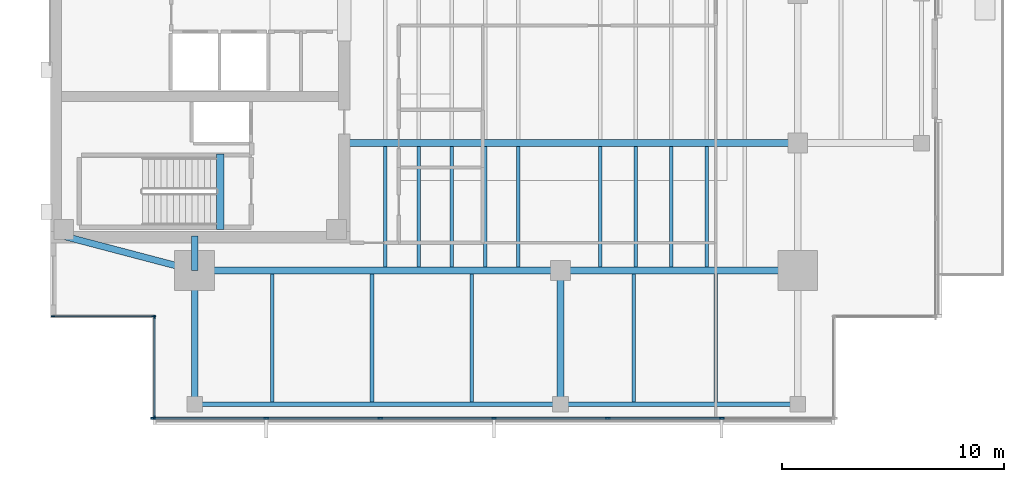
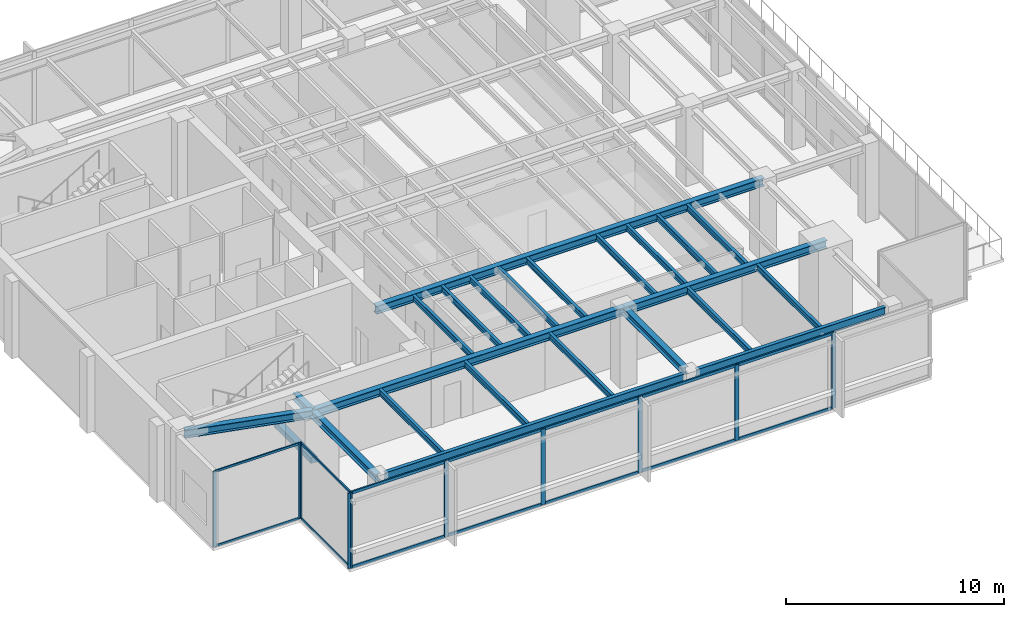
# One storey, part 2 of 14: 24 beams, 24 members, 3 elements without a shape of their own.
"""IFC4 building model written with IfcOpenShell, lengths in metres."""

from ifc_helpers import new_model, si_unit, direction, frame, origin, origin_2d, place, context, subcontext, project, spatial, rectangle, i_section, extrude, material, layer, layer_set, material_profile, profile_set, type_object, element, aggregate, save


model = new_model("IFC4")

# Units and contexts
model_context = context("Model", 3, precision=1e-05, world=origin(), true_north=direction((0.0, 1.0)))
body_context = subcontext(model_context, "Body", "Model", "MODEL_VIEW")
ifc_project = project(units=[si_unit("LENGTHUNIT", "METRE"), si_unit("AREAUNIT", "SQUARE_METRE"), si_unit("VOLUMEUNIT", "CUBIC_METRE"), si_unit("PLANEANGLEUNIT", "RADIAN"), si_unit("MASSUNIT", "GRAM", prefix="KILO")], contexts=[model_context])

# Site, building, storey
site_placement = place(None, origin())
site = spatial("IfcSite", under=ifc_project, at=site_placement, CompositionType="ELEMENT")
building_placement = place(site_placement, origin())
building = spatial("IfcBuilding", under=site, at=building_placement, Name="Kinhvarn Gate Tower", CompositionType="ELEMENT")
storey_placement = place(building_placement, frame((0.0, 0.0, 244.85009765625)))
storey = spatial("IfcBuildingStorey", under=building, at=storey_placement, Name="L65", CompositionType="ELEMENT", Elevation=244.85009765625)

# Beam
ifc_material_1 = material(Name="Concrete C50/60", Category="concrete")
ifc_material_profile_1 = material_profile(ifc_material_1, rectangle(XDim=0.340087890625, YDim=0.320068359375, at=origin_2d()), Name="RC 340x320")
ifc_profile_set_1 = profile_set([ifc_material_profile_1], Name="Concrete C50/60")
beam_type_1 = type_object("IfcBeamType", Name="BM-LND-500", PredefinedType="BEAM", material=ifc_profile_set_1)
beam_1_placement = place(storey_placement, frame((12.1650390625, 14.60009765625, -0.16015625), z_axis=(0.0, 1.0, 0.0), x_axis=(-1.0, 0.0, 0.0)))
element("IfcBeam", 1, at=beam_1_placement, inside=storey, type_object=beam_type_1, Name="Stair ST1 Landing Nosing Beam (L65)", PredefinedType="BEAM", context=body_context, shape_type="SweptSolid", body=[
    extrude(rectangle(XDim=0.340087890625, YDim=0.320068359375, at=origin_2d()), origin(), (0.0, 0.0, 1.0), 3.39990234375),
])

# Curtain wall, members
ifc_material_2 = material(Name="Anodised aluminium AW-6063", Category="aluminium")
ifc_layer_1 = layer(ifc_material_2, 0.179931640625)
ifc_layer_set_1 = layer_set([ifc_layer_1], Name="Anodised aluminium AW-6063")
curtain_wall_type_1 = type_object("IfcCurtainWallType", Name="CW-SYS-4", PredefinedType="NOTDEFINED", material=ifc_layer_set_1)
curtain_wall_1_placement = place(storey_placement, origin())
curtain_wall_1 = element("IfcCurtainWall", 2, at=curtain_wall_1_placement, inside=storey, type_object=curtain_wall_type_1, Name="Curtain Wall CW4 (L65)", PredefinedType="NOTDEFINED")
ifc_material_profile_2 = material_profile(ifc_material_2, rectangle(XDim=0.06494140625, YDim=0.159912109375, at=origin_2d()), Name="ALU 65x160")
ifc_profile_set_2 = profile_set([ifc_material_profile_2], Name="Anodised aluminium AW-6063")
member_type_1 = type_object("IfcMemberType", Name="CW-MUL-160", PredefinedType="MULLION", material=ifc_profile_set_2)
member_1_placement = place(storey_placement, frame((4.62255859375, 10.68994140625, 0.0), z_axis=(0.0, 0.0, 1.0), x_axis=(0.0, 1.0, 0.0)))
member_1 = element("IfcMember", 3, at=member_1_placement, type_object=member_type_1, Name="CW4 mullion 1", PredefinedType="MULLION", context=body_context, shape_type="SweptSolid", body=[
    extrude(rectangle(XDim=0.06494140625, YDim=0.159912109375, at=origin_2d()), origin(), (0.0, 0.0, 1.0), 4.239990234375),
])
member_2_placement = place(storey_placement, frame((9.157470703125, 10.68994140625, 0.0), z_axis=(0.0, 0.0, 1.0), x_axis=(0.0, 1.0, 0.0)))
member_2 = element("IfcMember", 4, at=member_2_placement, type_object=member_type_1, Name="CW4 mullion 2", PredefinedType="MULLION", context=body_context, shape_type="SweptSolid", body=[
    extrude(rectangle(XDim=0.06494140625, YDim=0.159912109375, at=origin_2d()), origin(), (0.0, 0.0, 1.0), 4.239990234375),
])

curtain_wall_2_placement = place(storey_placement, origin())
curtain_wall_2 = element("IfcCurtainWall", 5, at=curtain_wall_2_placement, inside=storey, type_object=curtain_wall_type_1, Name="Curtain Wall CW4 (L65)", PredefinedType="NOTDEFINED")
member_3_placement = place(storey_placement, frame((9.18994140625, 10.657470703125, 0.0), z_axis=(0.0, 0.0, 1.0), x_axis=(1.0, 0.0, 0.0)))
member_3 = element("IfcMember", 6, at=member_3_placement, type_object=member_type_1, Name="CW4 mullion 1", PredefinedType="MULLION", context=body_context, shape_type="SweptSolid", body=[
    extrude(rectangle(XDim=0.06494140625, YDim=0.159912109375, at=origin_2d()), origin(), (0.0, 0.0, 1.0), 4.239990234375),
])
member_4_placement = place(storey_placement, frame((9.18994140625, 6.12255859375, 0.0), z_axis=(0.0, 0.0, 1.0), x_axis=(1.0, 0.0, 0.0)))
member_4 = element("IfcMember", 7, at=member_4_placement, type_object=member_type_1, Name="CW4 mullion 2", PredefinedType="MULLION", context=body_context, shape_type="SweptSolid", body=[
    extrude(rectangle(XDim=0.06494140625, YDim=0.159912109375, at=origin_2d()), origin(), (0.0, 0.0, 1.0), 4.239990234375),
])

ifc_layer_2 = layer(ifc_material_2, 0.219970703125)
ifc_layer_set_2 = layer_set([ifc_layer_2], Name="Anodised aluminium AW-6063")
curtain_wall_type_2 = type_object("IfcCurtainWallType", Name="CW-SYS-5", PredefinedType="NOTDEFINED", material=ifc_layer_set_2)
curtain_wall_3_placement = place(storey_placement, origin())
curtain_wall_3 = element("IfcCurtainWall", 8, at=curtain_wall_3_placement, inside=storey, type_object=curtain_wall_type_2, Name="Curtain Wall CW5 (L65)", PredefinedType="NOTDEFINED")
ifc_material_profile_3 = material_profile(ifc_material_2, rectangle(XDim=0.080078125, YDim=0.219970703125, at=origin_2d()), Name="ALU 80x220")
ifc_profile_set_3 = profile_set([ifc_material_profile_3], Name="Anodised aluminium AW-6063")
member_type_2 = type_object("IfcMemberType", Name="CW-MUL-220", PredefinedType="MULLION", material=ifc_profile_set_3)
member_5_placement = place(storey_placement, frame((9.139892578125, 6.090087890625, 0.0), z_axis=(0.0, 0.0, 1.0), x_axis=(0.0, 1.0, 0.0)))
member_5 = element("IfcMember", 9, at=member_5_placement, type_object=member_type_2, Name="CW5 mullion 1", PredefinedType="MULLION", context=body_context, shape_type="SweptSolid", body=[
    extrude(rectangle(XDim=0.080078125, YDim=0.219970703125, at=origin_2d()), origin(), (0.0, 0.0, 1.0), 4.239990234375),
])
member_6_placement = place(storey_placement, frame((14.2333984375, 6.090087890625, 0.0), z_axis=(0.0, 0.0, 1.0), x_axis=(0.0, 1.0, 0.0)))
member_6 = element("IfcMember", 10, at=member_6_placement, type_object=member_type_2, Name="CW5 mullion 2", PredefinedType="MULLION", context=body_context, shape_type="SweptSolid", body=[
    extrude(rectangle(XDim=0.080078125, YDim=0.219970703125, at=origin_2d()), origin(), (0.0, 0.0, 1.0), 4.239990234375),
])
member_7_placement = place(storey_placement, frame((19.36669921875, 6.090087890625, 0.0), z_axis=(0.0, 0.0, 1.0), x_axis=(0.0, 1.0, 0.0)))
member_7 = element("IfcMember", 11, at=member_7_placement, type_object=member_type_2, Name="CW5 mullion 3", PredefinedType="MULLION", context=body_context, shape_type="SweptSolid", body=[
    extrude(rectangle(XDim=0.080078125, YDim=0.219970703125, at=origin_2d()), origin(), (0.0, 0.0, 1.0), 4.239990234375),
])
member_8_placement = place(storey_placement, frame((24.5, 6.090087890625, 0.0), z_axis=(0.0, 0.0, 1.0), x_axis=(0.0, 1.0, 0.0)))
member_8 = element("IfcMember", 12, at=member_8_placement, type_object=member_type_2, Name="CW5 mullion 4", PredefinedType="MULLION", context=body_context, shape_type="SweptSolid", body=[
    extrude(rectangle(XDim=0.080078125, YDim=0.219970703125, at=origin_2d()), origin(), (0.0, 0.0, 1.0), 4.239990234375),
])
member_9_placement = place(storey_placement, frame((29.63330078125, 6.090087890625, 0.0), z_axis=(0.0, 0.0, 1.0), x_axis=(0.0, 1.0, 0.0)))
member_9 = element("IfcMember", 13, at=member_9_placement, type_object=member_type_2, Name="CW5 mullion 5", PredefinedType="MULLION", context=body_context, shape_type="SweptSolid", body=[
    extrude(rectangle(XDim=0.080078125, YDim=0.219970703125, at=origin_2d()), origin(), (0.0, 0.0, 1.0), 4.239990234375),
])
member_10_placement = place(storey_placement, frame((34.7666015625, 6.090087890625, 0.0), z_axis=(0.0, 0.0, 1.0), x_axis=(0.0, 1.0, 0.0)))
member_10 = element("IfcMember", 14, at=member_10_placement, type_object=member_type_2, Name="CW5 mullion 6", PredefinedType="MULLION", context=body_context, shape_type="SweptSolid", body=[
    extrude(rectangle(XDim=0.080078125, YDim=0.219970703125, at=origin_2d()), origin(), (0.0, 0.0, 1.0), 4.239990234375),
])

# Member
ifc_material_profile_4 = material_profile(ifc_material_2, rectangle(XDim=0.06494140625, YDim=0.1201171875, at=origin_2d()), Name="ALU 65x120")
ifc_profile_set_4 = profile_set([ifc_material_profile_4], Name="Anodised aluminium AW-6063")
member_type_3 = type_object("IfcMemberType", Name="CW-TRN-120", PredefinedType="USERDEFINED", material=ifc_profile_set_4)
member_11_placement = place(storey_placement, frame((4.655029296875, 10.68994140625, 0.032470703125), z_axis=(1.0, 0.0, 0.0), x_axis=(0.0, 1.0, 0.0)))
member_11 = element("IfcMember", 15, at=member_11_placement, type_object=member_type_3, Name="CW4 transom 1.1", ObjectType="TRANSOM", PredefinedType="USERDEFINED", context=body_context, shape_type="SweptSolid", body=[
    extrude(rectangle(XDim=0.06494140625, YDim=0.1201171875, at=origin_2d()), origin(), (0.0, 0.0, 1.0), 4.469970703125),
])

member_12_placement = place(storey_placement, frame((4.655029296875, 10.68994140625, 4.20751953125), z_axis=(1.0, 0.0, 0.0), x_axis=(0.0, 1.0, 0.0)))
member_12 = element("IfcMember", 16, at=member_12_placement, type_object=member_type_3, Name="CW4 transom 1.2", ObjectType="TRANSOM", PredefinedType="USERDEFINED", context=body_context, shape_type="SweptSolid", body=[
    extrude(rectangle(XDim=0.06494140625, YDim=0.1201171875, at=origin_2d()), origin(), (0.0, 0.0, 1.0), 4.469970703125),
])

aggregate(curtain_wall_1, [member_1, member_2, member_11, member_12])

member_13_placement = place(storey_placement, frame((9.18994140625, 10.625, 0.032470703125), z_axis=(0.0, -1.0, 0.0), x_axis=(1.0, 0.0, 0.0)))
member_13 = element("IfcMember", 17, at=member_13_placement, type_object=member_type_3, Name="CW4 transom 1.1", ObjectType="TRANSOM", PredefinedType="USERDEFINED", context=body_context, shape_type="SweptSolid", body=[
    extrude(rectangle(XDim=0.06494140625, YDim=0.1201171875, at=origin_2d()), origin(), (0.0, 0.0, 1.0), 4.469970703125),
])

member_14_placement = place(storey_placement, frame((9.18994140625, 10.625, 4.20751953125), z_axis=(0.0, -1.0, 0.0), x_axis=(1.0, 0.0, 0.0)))
member_14 = element("IfcMember", 18, at=member_14_placement, type_object=member_type_3, Name="CW4 transom 1.2", ObjectType="TRANSOM", PredefinedType="USERDEFINED", context=body_context, shape_type="SweptSolid", body=[
    extrude(rectangle(XDim=0.06494140625, YDim=0.1201171875, at=origin_2d()), origin(), (0.0, 0.0, 1.0), 4.469970703125),
])

aggregate(curtain_wall_2, [member_3, member_4, member_13, member_14])

ifc_material_profile_5 = material_profile(ifc_material_2, rectangle(XDim=0.080078125, YDim=0.159912109375, at=origin_2d()), Name="ALU 80x160")
ifc_profile_set_5 = profile_set([ifc_material_profile_5], Name="Anodised aluminium AW-6063")
member_type_4 = type_object("IfcMemberType", Name="CW-TRN-160", PredefinedType="USERDEFINED", material=ifc_profile_set_5)
member_15_placement = place(storey_placement, frame((9.179931640625, 6.090087890625, 0.039794921875), z_axis=(1.0, 0.0, 0.0), x_axis=(0.0, 1.0, 0.0)))
member_15 = element("IfcMember", 19, at=member_15_placement, type_object=member_type_4, Name="CW5 transom 1.1", ObjectType="TRANSOM", PredefinedType="USERDEFINED", context=body_context, shape_type="SweptSolid", body=[
    extrude(rectangle(XDim=0.080078125, YDim=0.159912109375, at=origin_2d()), origin(), (0.0, 0.0, 1.0), 5.013427734375),
])

member_16_placement = place(storey_placement, frame((9.179931640625, 6.090087890625, 4.199951171875), z_axis=(1.0, 0.0, 0.0), x_axis=(0.0, 1.0, 0.0)))
member_16 = element("IfcMember", 20, at=member_16_placement, type_object=member_type_4, Name="CW5 transom 1.2", ObjectType="TRANSOM", PredefinedType="USERDEFINED", context=body_context, shape_type="SweptSolid", body=[
    extrude(rectangle(XDim=0.080078125, YDim=0.159912109375, at=origin_2d()), origin(), (0.0, 0.0, 1.0), 5.013427734375),
])

member_17_placement = place(storey_placement, frame((14.2734375, 6.090087890625, 0.039794921875), z_axis=(1.0, 0.0, 0.0), x_axis=(0.0, 1.0, 0.0)))
member_17 = element("IfcMember", 21, at=member_17_placement, type_object=member_type_4, Name="CW5 transom 2.1", ObjectType="TRANSOM", PredefinedType="USERDEFINED", context=body_context, shape_type="SweptSolid", body=[
    extrude(rectangle(XDim=0.080078125, YDim=0.159912109375, at=origin_2d()), origin(), (0.0, 0.0, 1.0), 5.05322265625),
])

member_18_placement = place(storey_placement, frame((14.2734375, 6.090087890625, 4.199951171875), z_axis=(1.0, 0.0, 0.0), x_axis=(0.0, 1.0, 0.0)))
member_18 = element("IfcMember", 22, at=member_18_placement, type_object=member_type_4, Name="CW5 transom 2.2", ObjectType="TRANSOM", PredefinedType="USERDEFINED", context=body_context, shape_type="SweptSolid", body=[
    extrude(rectangle(XDim=0.080078125, YDim=0.159912109375, at=origin_2d()), origin(), (0.0, 0.0, 1.0), 5.05322265625),
])

member_19_placement = place(storey_placement, frame((19.40673828125, 6.090087890625, 0.039794921875), z_axis=(1.0, 0.0, 0.0), x_axis=(0.0, 1.0, 0.0)))
member_19 = element("IfcMember", 23, at=member_19_placement, type_object=member_type_4, Name="CW5 transom 3.1", ObjectType="TRANSOM", PredefinedType="USERDEFINED", context=body_context, shape_type="SweptSolid", body=[
    extrude(rectangle(XDim=0.080078125, YDim=0.159912109375, at=origin_2d()), origin(), (0.0, 0.0, 1.0), 5.05322265625),
])

member_20_placement = place(storey_placement, frame((19.40673828125, 6.090087890625, 4.199951171875), z_axis=(1.0, 0.0, 0.0), x_axis=(0.0, 1.0, 0.0)))
member_20 = element("IfcMember", 24, at=member_20_placement, type_object=member_type_4, Name="CW5 transom 3.2", ObjectType="TRANSOM", PredefinedType="USERDEFINED", context=body_context, shape_type="SweptSolid", body=[
    extrude(rectangle(XDim=0.080078125, YDim=0.159912109375, at=origin_2d()), origin(), (0.0, 0.0, 1.0), 5.05322265625),
])

member_21_placement = place(storey_placement, frame((24.5400390625, 6.090087890625, 0.039794921875), z_axis=(1.0, 0.0, 0.0), x_axis=(0.0, 1.0, 0.0)))
member_21 = element("IfcMember", 25, at=member_21_placement, type_object=member_type_4, Name="CW5 transom 4.1", ObjectType="TRANSOM", PredefinedType="USERDEFINED", context=body_context, shape_type="SweptSolid", body=[
    extrude(rectangle(XDim=0.080078125, YDim=0.159912109375, at=origin_2d()), origin(), (0.0, 0.0, 1.0), 5.05322265625),
])

member_22_placement = place(storey_placement, frame((24.5400390625, 6.090087890625, 4.199951171875), z_axis=(1.0, 0.0, 0.0), x_axis=(0.0, 1.0, 0.0)))
member_22 = element("IfcMember", 26, at=member_22_placement, type_object=member_type_4, Name="CW5 transom 4.2", ObjectType="TRANSOM", PredefinedType="USERDEFINED", context=body_context, shape_type="SweptSolid", body=[
    extrude(rectangle(XDim=0.080078125, YDim=0.159912109375, at=origin_2d()), origin(), (0.0, 0.0, 1.0), 5.05322265625),
])

member_23_placement = place(storey_placement, frame((29.67333984375, 6.090087890625, 0.039794921875), z_axis=(1.0, 0.0, 0.0), x_axis=(0.0, 1.0, 0.0)))
member_23 = element("IfcMember", 27, at=member_23_placement, type_object=member_type_4, Name="CW5 transom 5.1", ObjectType="TRANSOM", PredefinedType="USERDEFINED", context=body_context, shape_type="SweptSolid", body=[
    extrude(rectangle(XDim=0.080078125, YDim=0.159912109375, at=origin_2d()), origin(), (0.0, 0.0, 1.0), 5.05322265625),
])

member_24_placement = place(storey_placement, frame((29.67333984375, 6.090087890625, 4.199951171875), z_axis=(1.0, 0.0, 0.0), x_axis=(0.0, 1.0, 0.0)))
member_24 = element("IfcMember", 28, at=member_24_placement, type_object=member_type_4, Name="CW5 transom 5.2", ObjectType="TRANSOM", PredefinedType="USERDEFINED", context=body_context, shape_type="SweptSolid", body=[
    extrude(rectangle(XDim=0.080078125, YDim=0.159912109375, at=origin_2d()), origin(), (0.0, 0.0, 1.0), 5.05322265625),
])

aggregate(curtain_wall_3, [member_5, member_6, member_7, member_8, member_9, member_10, member_15, member_16, member_17, member_18, member_19, member_20, member_21, member_22, member_23, member_24])

# Beams
ifc_material_3 = material(Name="Steel S355", Category="steel")
ifc_material_profile_6 = material_profile(ifc_material_3, i_section(OverallWidth=0.300048828125, OverallDepth=0.39990234375, WebThickness=0.013427734375, FlangeThickness=0.02392578125, at=origin_2d()), Name="HEB 400")
ifc_profile_set_6 = profile_set([ifc_material_profile_6], Name="Steel S355")
beam_type_2 = type_object("IfcBeamType", Name="STL-HEB400", PredefinedType="BEAM", material=ifc_profile_set_6)
beam_2_placement = place(storey_placement, frame((11.0, 6.719970703125, 4.039794921875), z_axis=(0.0, 1.0, 0.0), x_axis=(-1.0, 0.0, 0.0)))
element("IfcBeam", 29, at=beam_2_placement, inside=storey, type_object=beam_type_2, Name="Floor Beam PG-12 (L65 MCW-S)", PredefinedType="BEAM", context=body_context, shape_type="SweptSolid", body=[
    extrude(i_section(OverallWidth=0.300048828125, OverallDepth=0.39990234375, WebThickness=0.013427734375, FlangeThickness=0.02392578125, at=origin_2d()), origin(), (0.0, 0.0, 1.0), 6.030029296875),
])
beam_3_placement = place(storey_placement, frame((11.0, 12.75, 4.039794921875), z_axis=(0.0, 1.0, 0.0), x_axis=(-1.0, 0.0, 0.0)))
element("IfcBeam", 30, at=beam_3_placement, inside=storey, type_object=beam_type_2, Name="Floor Beam PG-12 (L65 MCW-CS)", PredefinedType="BEAM", context=body_context, shape_type="SweptSolid", body=[
    extrude(i_section(OverallWidth=0.300048828125, OverallDepth=0.39990234375, WebThickness=0.013427734375, FlangeThickness=0.02392578125, at=origin_2d()), origin(), (0.0, 0.0, 1.0), 1.550048828125),
])
beam_4_placement = place(storey_placement, frame((27.5, 7.054931640625, 4.039794921875), z_axis=(0.0, 1.0, 0.0), x_axis=(-1.0, 0.0, 0.0)))
element("IfcBeam", 31, at=beam_4_placement, inside=storey, type_object=beam_type_2, Name="Floor Beam PG-12 (L65 SP27-S-TIE)", PredefinedType="BEAM", context=body_context, shape_type="SweptSolid", body=[
    extrude(i_section(OverallWidth=0.300048828125, OverallDepth=0.39990234375, WebThickness=0.013427734375, FlangeThickness=0.02392578125, at=origin_2d()), origin(), (0.0, 0.0, 1.0), 5.695068359375),
])
ifc_material_profile_7 = material_profile(ifc_material_3, i_section(OverallWidth=0.300048828125, OverallDepth=0.449951171875, WebThickness=0.013916015625, FlangeThickness=0.02587890625, at=origin_2d()), Name="HEB 450")
ifc_profile_set_7 = profile_set([ifc_material_profile_7], Name="Steel S355")
beam_type_3 = type_object("IfcBeamType", Name="STL-HEB450", PredefinedType="BEAM", material=ifc_profile_set_7)
beam_5_placement = place(storey_placement, frame((11.0, 12.75, 4.014892578125), z_axis=(1.0, 0.0, 0.0), x_axis=(0.0, 1.0, 0.0)))
element("IfcBeam", 32, at=beam_5_placement, inside=storey, type_object=beam_type_3, Name="Floor Beam PG-13 (L65 MG-S1)", PredefinedType="BEAM", context=body_context, shape_type="SweptSolid", body=[
    extrude(i_section(OverallWidth=0.300048828125, OverallDepth=0.449951171875, WebThickness=0.013916015625, FlangeThickness=0.02587890625, at=origin_2d()), origin(), (0.0, 0.0, 1.0), 16.5),
])
beam_6_placement = place(storey_placement, frame((27.5, 12.75, 4.014892578125), z_axis=(1.0, 0.0, 0.0), x_axis=(0.0, 1.0, 0.0)))
element("IfcBeam", 33, at=beam_6_placement, inside=storey, type_object=beam_type_3, Name="Floor Beam PG-13 (L65 MG-S2)", PredefinedType="BEAM", context=body_context, shape_type="SweptSolid", body=[
    extrude(i_section(OverallWidth=0.300048828125, OverallDepth=0.449951171875, WebThickness=0.013916015625, FlangeThickness=0.02587890625, at=origin_2d()), origin(), (0.0, 0.0, 1.0), 10.699951171875),
])
beam_7_placement = place(storey_placement, frame((5.10009765625, 14.300048828125, 4.014892578125), z_axis=(0.967177623957, -0.254101246979, 0.0), x_axis=(0.254101246979, 0.967177623957, 0.0)))
element("IfcBeam", 34, at=beam_7_placement, inside=storey, type_object=beam_type_3, Name="Floor Beam PG-13 (L65 MG-SW-DIAG)", PredefinedType="BEAM", context=body_context, shape_type="SweptSolid", body=[
    extrude(i_section(OverallWidth=0.300048828125, OverallDepth=0.449951171875, WebThickness=0.013916015625, FlangeThickness=0.02587890625, at=origin_2d()), origin(), (0.0, 0.0, 1.0), 6.10009765625),
])
beam_8_placement = place(storey_placement, frame((17.64990234375, 18.5, 4.014892578125), z_axis=(1.0, 0.0, 0.0), x_axis=(0.0, 1.0, 0.0)))
element("IfcBeam", 35, at=beam_8_placement, inside=storey, type_object=beam_type_3, Name="Floor Beam PG-13 (L65 EW1-Y18)", PredefinedType="BEAM", context=body_context, shape_type="SweptSolid", body=[
    extrude(i_section(OverallWidth=0.300048828125, OverallDepth=0.449951171875, WebThickness=0.013916015625, FlangeThickness=0.02587890625, at=origin_2d()), origin(), (0.0, 0.0, 1.0), 20.550048828125),
])
ifc_material_profile_8 = material_profile(ifc_material_3, i_section(OverallWidth=0.159912109375, OverallDepth=0.330078125, WebThickness=0.007568359375, FlangeThickness=0.011474609375, at=origin_2d()), Name="IPE 330")
ifc_profile_set_8 = profile_set([ifc_material_profile_8], Name="Steel S355")
beam_type_4 = type_object("IfcBeamType", Name="STL-IPE330", PredefinedType="JOIST", material=ifc_profile_set_8)
for number, where, z_axis, x_axis, name in (
    (36, (19.60009765625, 12.89990234375, 4.074951171875), (0.0, 1.0, 0.0), (-1.0, 0.0, 0.0), "Floor Joist SB-03 (L65 JC-X196-0)"),
    (37, (21.10009765625, 12.89990234375, 4.074951171875), (0.0, 1.0, 0.0), (-1.0, 0.0, 0.0), "Floor Joist SB-03 (L65 JC-X211-0)"),
    (38, (22.60009765625, 12.89990234375, 4.074951171875), (0.0, 1.0, 0.0), (-1.0, 0.0, 0.0), "Floor Joist SB-03 (L65 JC-X226-0)"),
    (39, (24.10009765625, 12.89990234375, 4.074951171875), (0.0, 1.0, 0.0), (-1.0, 0.0, 0.0), "Floor Joist SB-03 (L65 JC-X241-0)"),
    (40, (25.60009765625, 12.89990234375, 4.074951171875), (0.0, 1.0, 0.0), (-1.0, 0.0, 0.0), "Floor Joist SB-03 (L65 JC-X256-0)"),
    (41, (29.300048828125, 12.89990234375, 4.074951171875), (0.0, 1.0, 0.0), (-1.0, 0.0, 0.0), "Floor Joist SB-03 (L65 JC-X293-0)"),
    (42, (30.89990234375, 12.89990234375, 4.074951171875), (0.0, 1.0, 0.0), (-1.0, 0.0, 0.0), "Floor Joist SB-03 (L65 JC-X309-0)"),
    (43, (32.5, 12.89990234375, 4.074951171875), (0.0, 1.0, 0.0), (-1.0, 0.0, 0.0), "Floor Joist SB-03 (L65 JC-X325-0)"),
    (44, (34.10009765625, 12.89990234375, 4.074951171875), (0.0, 1.0, 0.0), (-1.0, 0.0, 0.0), "Floor Joist SB-03 (L65 JC-X341-0)"),
):
    element("IfcBeam", number, at=place(storey_placement, frame(where, z_axis=z_axis, x_axis=x_axis)), inside=storey, type_object=beam_type_4, Name=name, PredefinedType="JOIST", context=body_context, shape_type="SweptSolid", body=[
        extrude(i_section(OverallWidth=0.159912109375, OverallDepth=0.330078125, WebThickness=0.007568359375, FlangeThickness=0.011474609375, at=origin_2d()), origin(), (0.0, 0.0, 1.0), 5.4501953125),
    ])
for number, where, z_axis, x_axis, name in (
    (45, (14.5, 6.81494140625, 4.074951171875), (0.0, 1.0, 0.0), (-1.0, 0.0, 0.0), "Floor Joist SB-03 (L65 JS-X145)"),
    (46, (19.0, 6.81494140625, 4.074951171875), (0.0, 1.0, 0.0), (-1.0, 0.0, 0.0), "Floor Joist SB-03 (L65 JS-X190)"),
    (47, (23.5, 6.81494140625, 4.074951171875), (0.0, 1.0, 0.0), (-1.0, 0.0, 0.0), "Floor Joist SB-03 (L65 JS-X235)"),
    (48, (30.800048828125, 6.81494140625, 4.074951171875), (0.0, 1.0, 0.0), (-1.0, 0.0, 0.0), "Floor Joist SB-03 (L65 JS-X308)"),
    (49, (34.5, 6.81494140625, 4.074951171875), (0.0, 1.0, 0.0), (-1.0, 0.0, 0.0), "Floor Joist SB-03 (L65 JS-X345)"),
):
    element("IfcBeam", number, at=place(storey_placement, frame(where, z_axis=z_axis, x_axis=x_axis)), inside=storey, type_object=beam_type_4, Name=name, PredefinedType="JOIST", context=body_context, shape_type="SweptSolid", body=[
        extrude(i_section(OverallWidth=0.159912109375, OverallDepth=0.330078125, WebThickness=0.007568359375, FlangeThickness=0.011474609375, at=origin_2d()), origin(), (0.0, 0.0, 1.0), 5.78515625),
    ])
ifc_material_profile_9 = material_profile(ifc_material_3, i_section(OverallWidth=0.18994140625, OverallDepth=0.449951171875, WebThickness=0.009521484375, FlangeThickness=0.0146484375, at=origin_2d()), Name="IPE 450")
ifc_profile_set_9 = profile_set([ifc_material_profile_9], Name="Steel S355")
beam_type_5 = type_object("IfcBeamType", Name="STL-IPE450", PredefinedType="JOIST", material=ifc_profile_set_9)
beam_9_placement = place(storey_placement, frame((11.3349609375, 6.719970703125, 4.014892578125), z_axis=(1.0, 0.0, 0.0), x_axis=(0.0, 1.0, 0.0)))
element("IfcBeam", 50, at=beam_9_placement, inside=storey, type_object=beam_type_5, Name="Floor Joist SB-06 (L65 SP-S1)", PredefinedType="JOIST", context=body_context, shape_type="SweptSolid", body=[
    extrude(i_section(OverallWidth=0.18994140625, OverallDepth=0.449951171875, WebThickness=0.009521484375, FlangeThickness=0.0146484375, at=origin_2d()), origin(), (0.0, 0.0, 1.0), 15.830078125),
])
beam_10_placement = place(storey_placement, frame((27.8349609375, 6.719970703125, 4.014892578125), z_axis=(1.0, 0.0, 0.0), x_axis=(0.0, 1.0, 0.0)))
element("IfcBeam", 51, at=beam_10_placement, inside=storey, type_object=beam_type_5, Name="Floor Joist SB-06 (L65 SP-S2)", PredefinedType="JOIST", context=body_context, shape_type="SweptSolid", body=[
    extrude(i_section(OverallWidth=0.18994140625, OverallDepth=0.449951171875, WebThickness=0.009521484375, FlangeThickness=0.0146484375, at=origin_2d()), origin(), (0.0, 0.0, 1.0), 10.030029296875),
])

save(model, "model.ifc")
